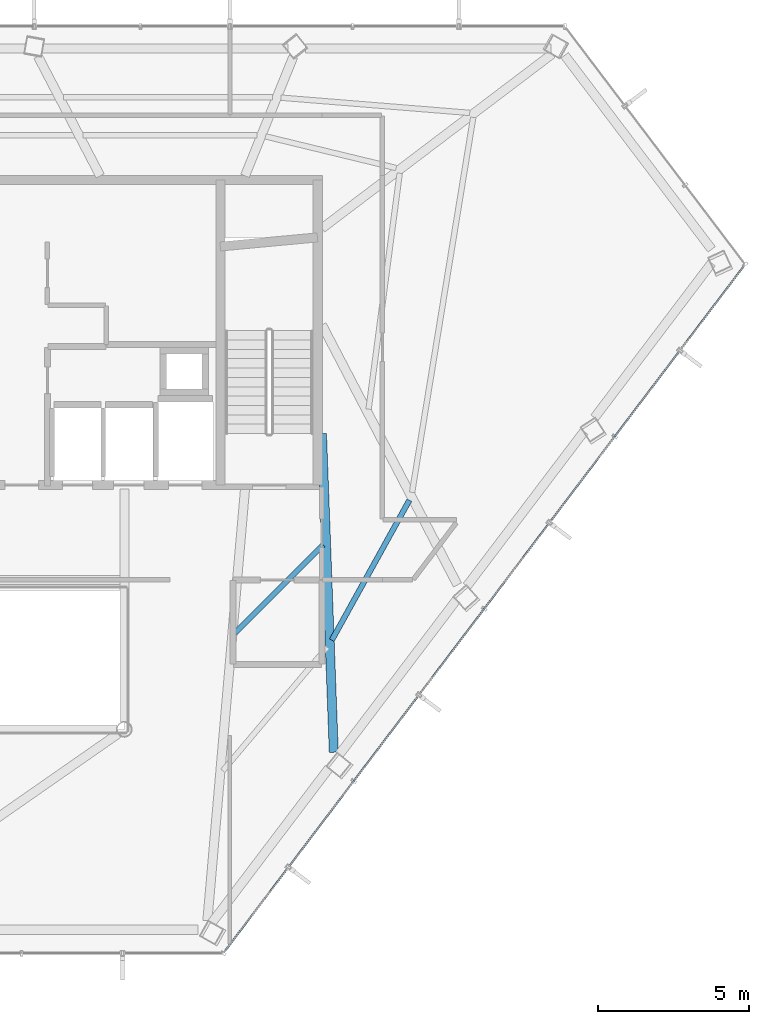
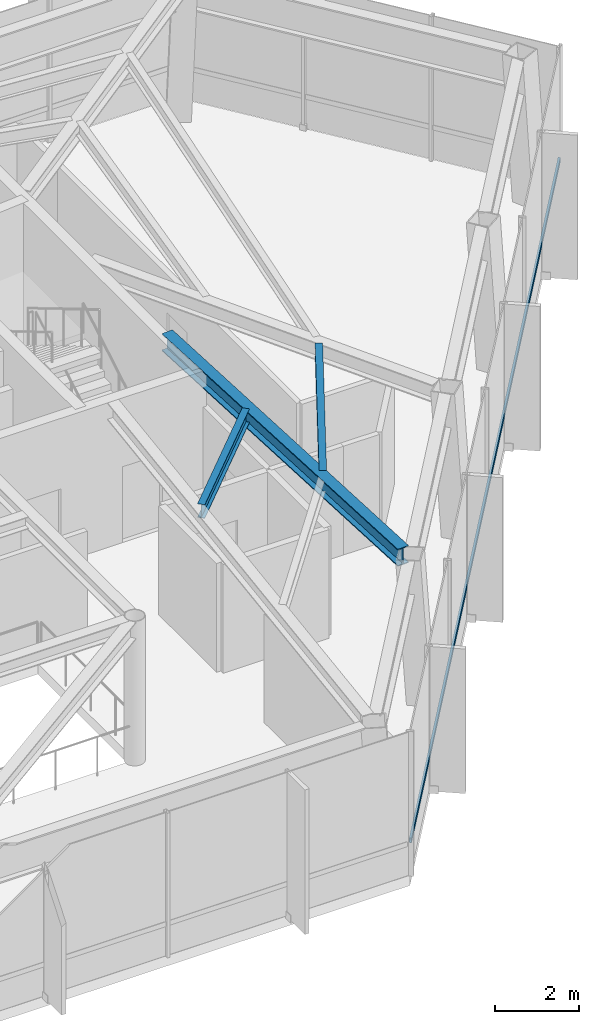
# One storey, part 13 of 22: 3 beams, 1 member, 1 element without a shape of its own.
"""IFC4 building model written with IfcOpenShell, lengths in metres."""

from ifc_helpers import new_model, si_unit, direction, frame, origin, origin_2d, place, context, subcontext, project, spatial, hollow_rectangle, i_section, extrude, material, layer, layer_set, material_profile, profile_set, type_object, element, aggregate, save


model = new_model("IFC4")

# Units and contexts
model_context = context("Model", 3, precision=1e-05, world=origin(), true_north=direction((0.0, 1.0)))
body_context = subcontext(model_context, "Body", "Model", "MODEL_VIEW")
ifc_project = project(units=[si_unit("LENGTHUNIT", "METRE"), si_unit("AREAUNIT", "SQUARE_METRE"), si_unit("VOLUMEUNIT", "CUBIC_METRE"), si_unit("PLANEANGLEUNIT", "RADIAN"), si_unit("MASSUNIT", "GRAM", prefix="KILO")], contexts=[model_context])

# Site, building, storey
site_placement = place(None, origin())
site = spatial("IfcSite", under=ifc_project, at=site_placement, CompositionType="ELEMENT")
building_placement = place(site_placement, origin())
building = spatial("IfcBuilding", under=site, at=building_placement, Name="Zarrinselat Tower", CompositionType="ELEMENT")
storey_placement = place(building_placement, frame((0.0, 0.0, 204.340087890625)))
storey = spatial("IfcBuildingStorey", under=building, at=storey_placement, Name="L50", CompositionType="ELEMENT", Elevation=204.340087890625)

# Beams
ifc_material_1 = material(Name="Steel S355J2", Category="steel")
ifc_material_profile_1 = material_profile(ifc_material_1, i_section(OverallWidth=0.300048828125, OverallDepth=0.5, WebThickness=0.014404296875, FlangeThickness=0.028076171875, at=origin_2d()), Name="HEB 500")
ifc_profile_set_1 = profile_set([ifc_material_profile_1], Name="Steel S355J2")
beam_type_1 = type_object("IfcBeamType", Name="BM-HEB500", PredefinedType="BEAM", material=ifc_profile_set_1)
beam_1_placement = place(storey_placement, frame((48.35009765625, 35.0, 3.949951171875), z_axis=(0.037040718493, -0.999313757122, 0.0), x_axis=(0.999313757122, 0.037040718493, 0.0)))
element("IfcBeam", 1, at=beam_1_placement, inside=storey, type_object=beam_type_1, Name="L50 Radial Primary Girder RG12", PredefinedType="BEAM", context=body_context, shape_type="SweptSolid", body=[
    extrude(i_section(OverallWidth=0.300048828125, OverallDepth=0.5, WebThickness=0.014404296875, FlangeThickness=0.028076171875, at=origin_2d()), origin(), (0.0, 0.0, 1.0), 10.565673828125),
])
ifc_material_2 = material(Name="Steel S355J2", Category="steel")
ifc_material_profile_2 = material_profile(ifc_material_2, i_section(OverallWidth=0.179931640625, OverallDepth=0.39990234375, WebThickness=0.008544921875, FlangeThickness=0.013427734375, at=origin_2d()), Name="IPE 400")
ifc_profile_set_2 = profile_set([ifc_material_profile_2], Name="Steel S355J2")
beam_type_2 = type_object("IfcBeamType", Name="BM-IPE400", PredefinedType="JOIST", material=ifc_profile_set_2)
beam_2_placement = place(storey_placement, frame((45.474609375, 28.3974609375, 4.0), z_axis=(0.706632292649, 0.707580951542, 0.0), x_axis=(-0.707580951542, 0.706632292649, 0.0)))
element("IfcBeam", 2, at=beam_2_placement, inside=storey, type_object=beam_type_2, Name="L50 Composite Floor Joist 3-2", PredefinedType="JOIST", context=body_context, shape_type="SweptSolid", body=[
    extrude(i_section(OverallWidth=0.179931640625, OverallDepth=0.39990234375, WebThickness=0.008544921875, FlangeThickness=0.013427734375, at=origin_2d()), origin(), (0.0, 0.0, 1.0), 4.11767578125),
])
beam_3_placement = place(storey_placement, frame((48.67626953125, 28.15380859375, 4.0), z_axis=(0.484458092188, 0.874814469995, 0.0), x_axis=(-0.874814469995, 0.484458092188, 0.0)))
element("IfcBeam", 3, at=beam_3_placement, inside=storey, type_object=beam_type_2, Name="L50 Composite Floor Joist 4-1", PredefinedType="JOIST", context=body_context, shape_type="SweptSolid", body=[
    extrude(i_section(OverallWidth=0.179931640625, OverallDepth=0.39990234375, WebThickness=0.008544921875, FlangeThickness=0.013427734375, at=origin_2d()), origin(), (0.0, 0.0, 1.0), 5.302978515625),
])

# Curtain wall, member
ifc_material_3 = material(Name="Extruded Aluminium Alloy EN AW-6063 T6", Category="aluminium")
ifc_layer = layer(ifc_material_3, 0.195068359375)
ifc_layer_set = layer_set([ifc_layer], Name="Extruded Aluminium Alloy EN AW-6063 T6")
curtain_wall_type = type_object("IfcCurtainWallType", Name="CWS-GDN", PredefinedType="NOTDEFINED", material=ifc_layer_set)
curtain_wall_placement = place(storey_placement, origin())
curtain_wall = element("IfcCurtainWall", 4, at=curtain_wall_placement, inside=storey, type_object=curtain_wall_type, Name="L50 Unitised Curtain Wall CW-L50-E04", PredefinedType="NOTDEFINED")
ifc_material_4 = material(Name="Extruded Aluminium Alloy EN AW-6063 T6", Category="aluminium")
ifc_material_profile_3 = material_profile(ifc_material_4, hollow_rectangle(XDim=0.06005859375, YDim=0.139892578125, WallThickness=0.00390625, at=origin_2d()), Name="RHS 140x60x4")
ifc_profile_set_3 = profile_set([ifc_material_profile_3], Name="Extruded Aluminium Alloy EN AW-6063 T6")
member_type = type_object("IfcMemberType", Name="MEM-CW-TRN", PredefinedType="USERDEFINED", material=ifc_profile_set_3)
member_placement = place(storey_placement, frame((62.319091796875, 40.53564453125, 0.949951171875), z_axis=(-0.603851576464, -0.797096778065, 0.0), x_axis=(0.797096778065, -0.603851576464, 0.0)))
member = element("IfcMember", 5, at=member_placement, type_object=member_type, Name="CW-L50-E04 Transom 1", ObjectType="TRANSOM", PredefinedType="USERDEFINED", context=body_context, shape_type="SweptSolid", body=[
    extrude(hollow_rectangle(XDim=0.06005859375, YDim=0.139892578125, WallThickness=0.00390625, at=origin_2d()), origin(), (0.0, 0.0, 1.0), 28.45751953125),
])
aggregate(curtain_wall, [member])

save(model, "model.ifc")
